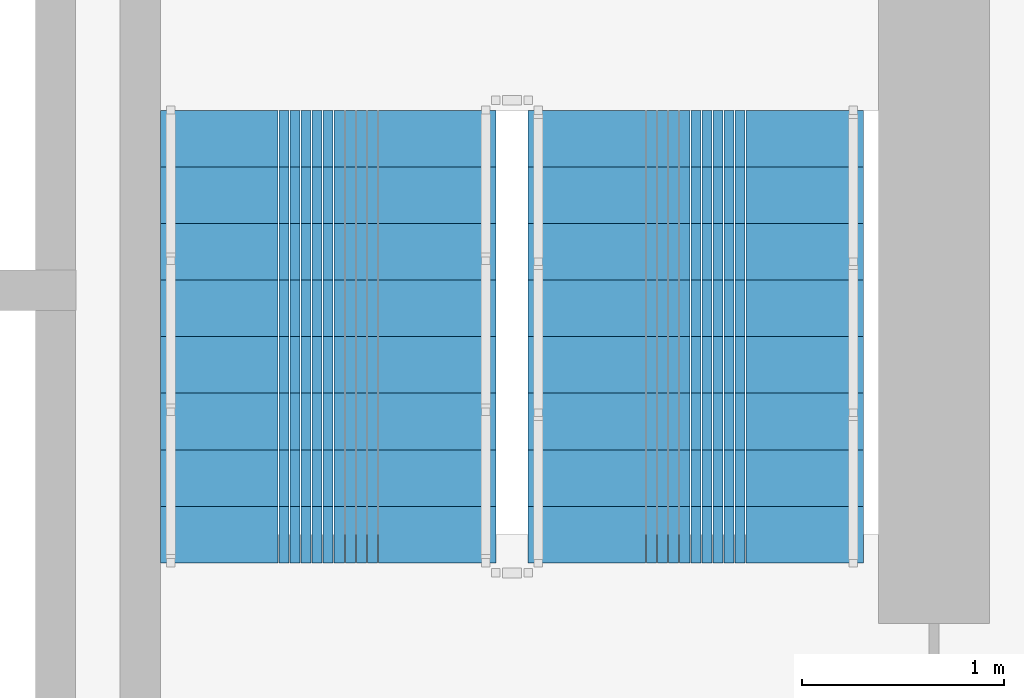
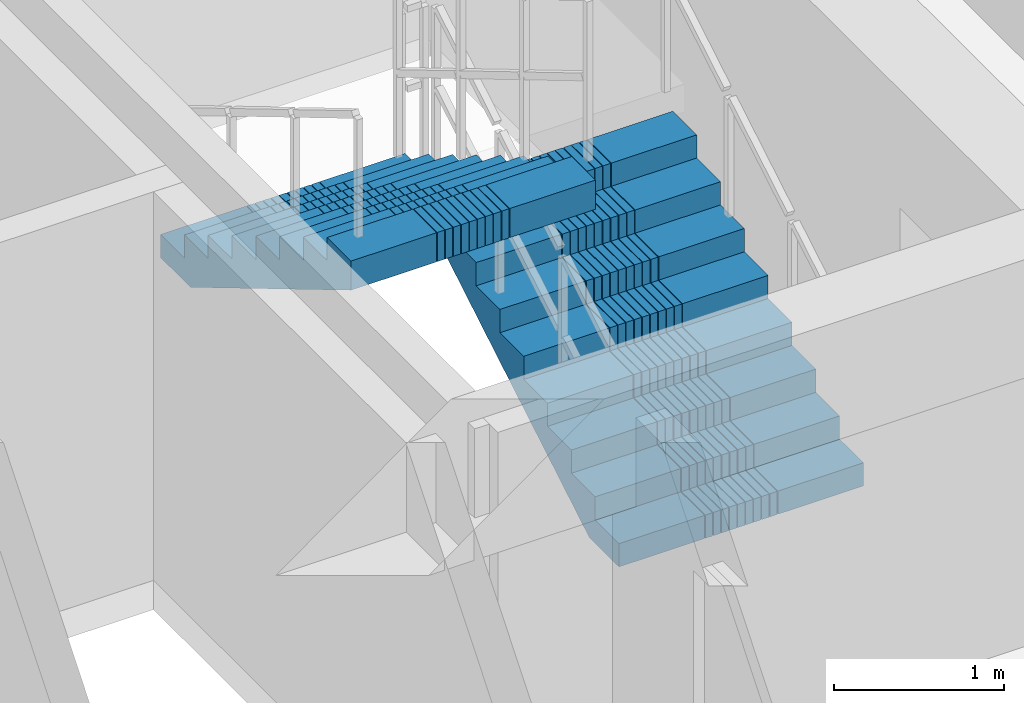
# One storey, part 9 of 15: 2 stair flights, 1 element without a shape of its own.
"""IFC4 building model written with IfcOpenShell, lengths in metres."""

from ifc_helpers import new_model, si_unit, direction, frame, origin, place, context, subcontext, project, spatial, polyline, outline, extrude, material, type_object, element, aggregate, save


model = new_model("IFC4")

# Units and contexts
model_context = context("Model", 3, precision=1e-05, world=origin(), true_north=direction((0.0, 1.0)))
body_context = subcontext(model_context, "Body", "Model", "MODEL_VIEW")
ifc_project = project(units=[si_unit("LENGTHUNIT", "METRE"), si_unit("AREAUNIT", "SQUARE_METRE"), si_unit("VOLUMEUNIT", "CUBIC_METRE"), si_unit("PLANEANGLEUNIT", "RADIAN"), si_unit("MASSUNIT", "GRAM", prefix="KILO")], contexts=[model_context])

# Site, building, storey
site_placement = place(None, origin())
site = spatial("IfcSite", under=ifc_project, at=site_placement, CompositionType="ELEMENT")
building_placement = place(site_placement, origin())
building = spatial("IfcBuilding", under=site, at=building_placement, Name="Saelheon Loggia Tower", CompositionType="ELEMENT")
storey_placement = place(building_placement, frame((0.0, 0.0, 77.85009765625)))
storey = spatial("IfcBuildingStorey", under=building, at=storey_placement, Name="L24", CompositionType="ELEMENT", Elevation=77.85009765625)

# Stair, stair flights
ifc_material = material(Name="Concrete C40/50", Category="concrete")
stair_type = type_object("IfcStairType", Name="Stair_Escape_Core", PredefinedType="HALF_TURN_STAIR", material=ifc_material)
stair_placement = place(storey_placement, origin())
stair = element("IfcStair", 1, at=stair_placement, inside=storey, type_object=stair_type, Name="L24 Special Escape Stair ST2", PredefinedType="HALF_TURN_STAIR")
stair_flight_type = type_object("IfcStairFlightType", Name="StairFlight_Tower_1660", PredefinedType="STRAIGHT", material=ifc_material)
stair_flight_1_placement = place(storey_placement, frame((43.320068359375, 30.449951171875, 0.0), z_axis=(0.0, 0.0, 1.0), x_axis=(0.0, 1.0, 0.0)))
stair_flight_1 = element("IfcStairFlight", 2, at=stair_flight_1_placement, type_object=stair_flight_type, Name="ST2 flight 1", NumberOfRisers=9, NumberOfTreads=8, PredefinedType="STRAIGHT", RiserHeight=0.166666667, TreadLength=0.28, context=body_context, shape_type="SweptSolid", body=[
    extrude(outline(polyline([(0.0, 0.0), (0.0, 0.166748046875), (0.280029296875, 0.166748046875), (0.280029296875, 0.333251953125), (0.56005859375, 0.333251953125), (0.56005859375, 0.5), (0.840087890625, 0.5), (0.840087890625, 0.666748046875), (1.1201171875, 0.666748046875), (1.1201171875, 0.833251953125), (1.39990234375, 0.833251953125), (1.39990234375, 1.0), (1.679931640625, 1.0), (1.679931640625, 1.166748046875), (1.9599609375, 1.166748046875), (1.9599609375, 1.333251953125), (2.239990234375, 1.333251953125), (2.239990234375, 1.5), (2.239990234375, 1.1240234375), (0.351806640625, 0.0), (0.0, 0.0)])), frame((0.0, -0.2490234375, 0.0), z_axis=(0.0, -1.0, 0.0), x_axis=(1.0, 0.0, 0.0)), (0.0, 0.0, 1.0), 0.5810546875),
    extrude(outline(polyline([(0.0, 0.0), (0.0, 0.166748046875), (0.280029296875, 0.166748046875), (0.280029296875, 0.333251953125), (0.56005859375, 0.333251953125), (0.56005859375, 0.5), (0.840087890625, 0.5), (0.840087890625, 0.666748046875), (1.1201171875, 0.666748046875), (1.1201171875, 0.833251953125), (1.39990234375, 0.833251953125), (1.39990234375, 1.0), (1.679931640625, 1.0), (1.679931640625, 1.166748046875), (1.9599609375, 1.166748046875), (1.9599609375, 1.333251953125), (2.239990234375, 1.333251953125), (2.239990234375, 1.5), (2.239990234375, 1.1240234375), (0.351806640625, 0.0), (0.0, 0.0)])), frame((0.0, -0.194091796875, 0.0), z_axis=(0.0, -1.0, 0.0), x_axis=(1.0, 0.0, 0.0)), (0.0, 0.0, 1.0), 0.0498046875),
    extrude(outline(polyline([(0.0, 0.0), (0.0, 0.166748046875), (0.280029296875, 0.166748046875), (0.280029296875, 0.333251953125), (0.56005859375, 0.333251953125), (0.56005859375, 0.5), (0.840087890625, 0.5), (0.840087890625, 0.666748046875), (1.1201171875, 0.666748046875), (1.1201171875, 0.833251953125), (1.39990234375, 0.833251953125), (1.39990234375, 1.0), (1.679931640625, 1.0), (1.679931640625, 1.166748046875), (1.9599609375, 1.166748046875), (1.9599609375, 1.333251953125), (2.239990234375, 1.333251953125), (2.239990234375, 1.5), (2.239990234375, 1.1240234375), (0.351806640625, 0.0), (0.0, 0.0)])), frame((0.0, -0.139404296875, 0.0), z_axis=(0.0, -1.0, 0.0), x_axis=(1.0, 0.0, 0.0)), (0.0, 0.0, 1.0), 0.0498046875),
    extrude(outline(polyline([(0.0, 0.0), (0.0, 0.166748046875), (0.280029296875, 0.166748046875), (0.280029296875, 0.333251953125), (0.56005859375, 0.333251953125), (0.56005859375, 0.5), (0.840087890625, 0.5), (0.840087890625, 0.666748046875), (1.1201171875, 0.666748046875), (1.1201171875, 0.833251953125), (1.39990234375, 0.833251953125), (1.39990234375, 1.0), (1.679931640625, 1.0), (1.679931640625, 1.166748046875), (1.9599609375, 1.166748046875), (1.9599609375, 1.333251953125), (2.239990234375, 1.333251953125), (2.239990234375, 1.5), (2.239990234375, 1.1240234375), (0.351806640625, 0.0), (0.0, 0.0)])), frame((0.0, -0.084716796875, 0.0), z_axis=(0.0, -1.0, 0.0), x_axis=(1.0, 0.0, 0.0)), (0.0, 0.0, 1.0), 0.0498046875),
    extrude(outline(polyline([(0.0, 0.0), (0.0, 0.166748046875), (0.280029296875, 0.166748046875), (0.280029296875, 0.333251953125), (0.56005859375, 0.333251953125), (0.56005859375, 0.5), (0.840087890625, 0.5), (0.840087890625, 0.666748046875), (1.1201171875, 0.666748046875), (1.1201171875, 0.833251953125), (1.39990234375, 0.833251953125), (1.39990234375, 1.0), (1.679931640625, 1.0), (1.679931640625, 1.166748046875), (1.9599609375, 1.166748046875), (1.9599609375, 1.333251953125), (2.239990234375, 1.333251953125), (2.239990234375, 1.5), (2.239990234375, 1.1240234375), (0.351806640625, 0.0), (0.0, 0.0)])), frame((0.0, -0.02978515625, 0.0), z_axis=(0.0, -1.0, 0.0), x_axis=(1.0, 0.0, 0.0)), (0.0, 0.0, 1.0), 0.0498046875),
    extrude(outline(polyline([(0.0, 0.0), (0.0, 0.166748046875), (0.280029296875, 0.166748046875), (0.280029296875, 0.333251953125), (0.56005859375, 0.333251953125), (0.56005859375, 0.5), (0.840087890625, 0.5), (0.840087890625, 0.666748046875), (1.1201171875, 0.666748046875), (1.1201171875, 0.833251953125), (1.39990234375, 0.833251953125), (1.39990234375, 1.0), (1.679931640625, 1.0), (1.679931640625, 1.166748046875), (1.9599609375, 1.166748046875), (1.9599609375, 1.333251953125), (2.239990234375, 1.333251953125), (2.239990234375, 1.5), (2.239990234375, 1.1240234375), (0.351806640625, 0.0), (0.0, 0.0)])), frame((0.0, 0.02490234375, 0.0), z_axis=(0.0, -1.0, 0.0), x_axis=(1.0, 0.0, 0.0)), (0.0, 0.0, 1.0), 0.0498046875),
    extrude(outline(polyline([(0.0, 0.0), (0.0, 0.166748046875), (0.280029296875, 0.166748046875), (0.280029296875, 0.333251953125), (0.56005859375, 0.333251953125), (0.56005859375, 0.5), (0.840087890625, 0.5), (0.840087890625, 0.666748046875), (1.1201171875, 0.666748046875), (1.1201171875, 0.833251953125), (1.39990234375, 0.833251953125), (1.39990234375, 1.0), (1.679931640625, 1.0), (1.679931640625, 1.166748046875), (1.9599609375, 1.166748046875), (1.9599609375, 1.333251953125), (2.239990234375, 1.333251953125), (2.239990234375, 1.5), (2.239990234375, 1.1240234375), (0.351806640625, 0.0), (0.0, 0.0)])), frame((0.0, 0.07958984375, 0.0), z_axis=(0.0, -1.0, 0.0), x_axis=(1.0, 0.0, 0.0)), (0.0, 0.0, 1.0), 0.0498046875),
    extrude(outline(polyline([(0.0, 0.0), (0.0, 0.166748046875), (0.280029296875, 0.166748046875), (0.280029296875, 0.333251953125), (0.56005859375, 0.333251953125), (0.56005859375, 0.5), (0.840087890625, 0.5), (0.840087890625, 0.666748046875), (1.1201171875, 0.666748046875), (1.1201171875, 0.833251953125), (1.39990234375, 0.833251953125), (1.39990234375, 1.0), (1.679931640625, 1.0), (1.679931640625, 1.166748046875), (1.9599609375, 1.166748046875), (1.9599609375, 1.333251953125), (2.239990234375, 1.333251953125), (2.239990234375, 1.5), (2.239990234375, 1.1240234375), (0.351806640625, 0.0), (0.0, 0.0)])), frame((0.0, 0.134521484375, 0.0), z_axis=(0.0, -1.0, 0.0), x_axis=(1.0, 0.0, 0.0)), (0.0, 0.0, 1.0), 0.0498046875),
    extrude(outline(polyline([(0.0, 0.0), (0.0, 0.166748046875), (0.280029296875, 0.166748046875), (0.280029296875, 0.333251953125), (0.56005859375, 0.333251953125), (0.56005859375, 0.5), (0.840087890625, 0.5), (0.840087890625, 0.666748046875), (1.1201171875, 0.666748046875), (1.1201171875, 0.833251953125), (1.39990234375, 0.833251953125), (1.39990234375, 1.0), (1.679931640625, 1.0), (1.679931640625, 1.166748046875), (1.9599609375, 1.166748046875), (1.9599609375, 1.333251953125), (2.239990234375, 1.333251953125), (2.239990234375, 1.5), (2.239990234375, 1.1240234375), (0.351806640625, 0.0), (0.0, 0.0)])), frame((0.0, 0.189208984375, 0.0), z_axis=(0.0, -1.0, 0.0), x_axis=(1.0, 0.0, 0.0)), (0.0, 0.0, 1.0), 0.0498046875),
    extrude(outline(polyline([(0.0, 0.0), (0.0, 0.166748046875), (0.280029296875, 0.166748046875), (0.280029296875, 0.333251953125), (0.56005859375, 0.333251953125), (0.56005859375, 0.5), (0.840087890625, 0.5), (0.840087890625, 0.666748046875), (1.1201171875, 0.666748046875), (1.1201171875, 0.833251953125), (1.39990234375, 0.833251953125), (1.39990234375, 1.0), (1.679931640625, 1.0), (1.679931640625, 1.166748046875), (1.9599609375, 1.166748046875), (1.9599609375, 1.333251953125), (2.239990234375, 1.333251953125), (2.239990234375, 1.5), (2.239990234375, 1.1240234375), (0.351806640625, 0.0), (0.0, 0.0)])), frame((0.0, 0.243896484375, 0.0), z_axis=(0.0, -1.0, 0.0), x_axis=(1.0, 0.0, 0.0)), (0.0, 0.0, 1.0), 0.0498046875),
    extrude(outline(polyline([(0.0, 0.0), (0.0, 0.166748046875), (0.280029296875, 0.166748046875), (0.280029296875, 0.333251953125), (0.56005859375, 0.333251953125), (0.56005859375, 0.5), (0.840087890625, 0.5), (0.840087890625, 0.666748046875), (1.1201171875, 0.666748046875), (1.1201171875, 0.833251953125), (1.39990234375, 0.833251953125), (1.39990234375, 1.0), (1.679931640625, 1.0), (1.679931640625, 1.166748046875), (1.9599609375, 1.166748046875), (1.9599609375, 1.333251953125), (2.239990234375, 1.333251953125), (2.239990234375, 1.5), (2.239990234375, 1.1240234375), (0.351806640625, 0.0), (0.0, 0.0)])), frame((0.0, 0.830078125, 0.0), z_axis=(0.0, -1.0, 0.0), x_axis=(1.0, 0.0, 0.0)), (0.0, 0.0, 1.0), 0.5810546875),
])
stair_flight_2_placement = place(storey_placement, frame((41.5, 32.68994140625, 1.5), z_axis=(0.0, 0.0, 1.0), x_axis=(0.0, -1.0, 0.0)))
stair_flight_2 = element("IfcStairFlight", 3, at=stair_flight_2_placement, type_object=stair_flight_type, Name="ST2 flight 2", NumberOfRisers=9, NumberOfTreads=8, PredefinedType="STRAIGHT", RiserHeight=0.166666667, TreadLength=0.28, context=body_context, shape_type="SweptSolid", body=[
    extrude(outline(polyline([(0.0, 0.0), (0.0, 0.166748046875), (0.280029296875, 0.166748046875), (0.280029296875, 0.333251953125), (0.56005859375, 0.333251953125), (0.56005859375, 0.5), (0.840087890625, 0.5), (0.840087890625, 0.666748046875), (1.1201171875, 0.666748046875), (1.1201171875, 0.833251953125), (1.39990234375, 0.833251953125), (1.39990234375, 1.0), (1.679931640625, 1.0), (1.679931640625, 1.166748046875), (1.9599609375, 1.166748046875), (1.9599609375, 1.333251953125), (2.239990234375, 1.333251953125), (2.239990234375, 1.5), (2.239990234375, 1.1240234375), (0.351806640625, 0.0), (0.0, 0.0)])), frame((0.0, -0.2490234375, 0.0), z_axis=(0.0, -1.0, 0.0), x_axis=(1.0, 0.0, 0.0)), (0.0, 0.0, 1.0), 0.5810546875),
    extrude(outline(polyline([(0.0, 0.0), (0.0, 0.166748046875), (0.280029296875, 0.166748046875), (0.280029296875, 0.333251953125), (0.56005859375, 0.333251953125), (0.56005859375, 0.5), (0.840087890625, 0.5), (0.840087890625, 0.666748046875), (1.1201171875, 0.666748046875), (1.1201171875, 0.833251953125), (1.39990234375, 0.833251953125), (1.39990234375, 1.0), (1.679931640625, 1.0), (1.679931640625, 1.166748046875), (1.9599609375, 1.166748046875), (1.9599609375, 1.333251953125), (2.239990234375, 1.333251953125), (2.239990234375, 1.5), (2.239990234375, 1.1240234375), (0.351806640625, 0.0), (0.0, 0.0)])), frame((0.0, -0.194091796875, 0.0), z_axis=(0.0, -1.0, 0.0), x_axis=(1.0, 0.0, 0.0)), (0.0, 0.0, 1.0), 0.0498046875),
    extrude(outline(polyline([(0.0, 0.0), (0.0, 0.166748046875), (0.280029296875, 0.166748046875), (0.280029296875, 0.333251953125), (0.56005859375, 0.333251953125), (0.56005859375, 0.5), (0.840087890625, 0.5), (0.840087890625, 0.666748046875), (1.1201171875, 0.666748046875), (1.1201171875, 0.833251953125), (1.39990234375, 0.833251953125), (1.39990234375, 1.0), (1.679931640625, 1.0), (1.679931640625, 1.166748046875), (1.9599609375, 1.166748046875), (1.9599609375, 1.333251953125), (2.239990234375, 1.333251953125), (2.239990234375, 1.5), (2.239990234375, 1.1240234375), (0.351806640625, 0.0), (0.0, 0.0)])), frame((0.0, -0.139404296875, 0.0), z_axis=(0.0, -1.0, 0.0), x_axis=(1.0, 0.0, 0.0)), (0.0, 0.0, 1.0), 0.0498046875),
    extrude(outline(polyline([(0.0, 0.0), (0.0, 0.166748046875), (0.280029296875, 0.166748046875), (0.280029296875, 0.333251953125), (0.56005859375, 0.333251953125), (0.56005859375, 0.5), (0.840087890625, 0.5), (0.840087890625, 0.666748046875), (1.1201171875, 0.666748046875), (1.1201171875, 0.833251953125), (1.39990234375, 0.833251953125), (1.39990234375, 1.0), (1.679931640625, 1.0), (1.679931640625, 1.166748046875), (1.9599609375, 1.166748046875), (1.9599609375, 1.333251953125), (2.239990234375, 1.333251953125), (2.239990234375, 1.5), (2.239990234375, 1.1240234375), (0.351806640625, 0.0), (0.0, 0.0)])), frame((0.0, -0.084716796875, 0.0), z_axis=(0.0, -1.0, 0.0), x_axis=(1.0, 0.0, 0.0)), (0.0, 0.0, 1.0), 0.0498046875),
    extrude(outline(polyline([(0.0, 0.0), (0.0, 0.166748046875), (0.280029296875, 0.166748046875), (0.280029296875, 0.333251953125), (0.56005859375, 0.333251953125), (0.56005859375, 0.5), (0.840087890625, 0.5), (0.840087890625, 0.666748046875), (1.1201171875, 0.666748046875), (1.1201171875, 0.833251953125), (1.39990234375, 0.833251953125), (1.39990234375, 1.0), (1.679931640625, 1.0), (1.679931640625, 1.166748046875), (1.9599609375, 1.166748046875), (1.9599609375, 1.333251953125), (2.239990234375, 1.333251953125), (2.239990234375, 1.5), (2.239990234375, 1.1240234375), (0.351806640625, 0.0), (0.0, 0.0)])), frame((0.0, -0.02978515625, 0.0), z_axis=(0.0, -1.0, 0.0), x_axis=(1.0, 0.0, 0.0)), (0.0, 0.0, 1.0), 0.0498046875),
    extrude(outline(polyline([(0.0, 0.0), (0.0, 0.166748046875), (0.280029296875, 0.166748046875), (0.280029296875, 0.333251953125), (0.56005859375, 0.333251953125), (0.56005859375, 0.5), (0.840087890625, 0.5), (0.840087890625, 0.666748046875), (1.1201171875, 0.666748046875), (1.1201171875, 0.833251953125), (1.39990234375, 0.833251953125), (1.39990234375, 1.0), (1.679931640625, 1.0), (1.679931640625, 1.166748046875), (1.9599609375, 1.166748046875), (1.9599609375, 1.333251953125), (2.239990234375, 1.333251953125), (2.239990234375, 1.5), (2.239990234375, 1.1240234375), (0.351806640625, 0.0), (0.0, 0.0)])), frame((0.0, 0.02490234375, 0.0), z_axis=(0.0, -1.0, 0.0), x_axis=(1.0, 0.0, 0.0)), (0.0, 0.0, 1.0), 0.0498046875),
    extrude(outline(polyline([(0.0, 0.0), (0.0, 0.166748046875), (0.280029296875, 0.166748046875), (0.280029296875, 0.333251953125), (0.56005859375, 0.333251953125), (0.56005859375, 0.5), (0.840087890625, 0.5), (0.840087890625, 0.666748046875), (1.1201171875, 0.666748046875), (1.1201171875, 0.833251953125), (1.39990234375, 0.833251953125), (1.39990234375, 1.0), (1.679931640625, 1.0), (1.679931640625, 1.166748046875), (1.9599609375, 1.166748046875), (1.9599609375, 1.333251953125), (2.239990234375, 1.333251953125), (2.239990234375, 1.5), (2.239990234375, 1.1240234375), (0.351806640625, 0.0), (0.0, 0.0)])), frame((0.0, 0.07958984375, 0.0), z_axis=(0.0, -1.0, 0.0), x_axis=(1.0, 0.0, 0.0)), (0.0, 0.0, 1.0), 0.0498046875),
    extrude(outline(polyline([(0.0, 0.0), (0.0, 0.166748046875), (0.280029296875, 0.166748046875), (0.280029296875, 0.333251953125), (0.56005859375, 0.333251953125), (0.56005859375, 0.5), (0.840087890625, 0.5), (0.840087890625, 0.666748046875), (1.1201171875, 0.666748046875), (1.1201171875, 0.833251953125), (1.39990234375, 0.833251953125), (1.39990234375, 1.0), (1.679931640625, 1.0), (1.679931640625, 1.166748046875), (1.9599609375, 1.166748046875), (1.9599609375, 1.333251953125), (2.239990234375, 1.333251953125), (2.239990234375, 1.5), (2.239990234375, 1.1240234375), (0.351806640625, 0.0), (0.0, 0.0)])), frame((0.0, 0.134521484375, 0.0), z_axis=(0.0, -1.0, 0.0), x_axis=(1.0, 0.0, 0.0)), (0.0, 0.0, 1.0), 0.0498046875),
    extrude(outline(polyline([(0.0, 0.0), (0.0, 0.166748046875), (0.280029296875, 0.166748046875), (0.280029296875, 0.333251953125), (0.56005859375, 0.333251953125), (0.56005859375, 0.5), (0.840087890625, 0.5), (0.840087890625, 0.666748046875), (1.1201171875, 0.666748046875), (1.1201171875, 0.833251953125), (1.39990234375, 0.833251953125), (1.39990234375, 1.0), (1.679931640625, 1.0), (1.679931640625, 1.166748046875), (1.9599609375, 1.166748046875), (1.9599609375, 1.333251953125), (2.239990234375, 1.333251953125), (2.239990234375, 1.5), (2.239990234375, 1.1240234375), (0.351806640625, 0.0), (0.0, 0.0)])), frame((0.0, 0.189208984375, 0.0), z_axis=(0.0, -1.0, 0.0), x_axis=(1.0, 0.0, 0.0)), (0.0, 0.0, 1.0), 0.0498046875),
    extrude(outline(polyline([(0.0, 0.0), (0.0, 0.166748046875), (0.280029296875, 0.166748046875), (0.280029296875, 0.333251953125), (0.56005859375, 0.333251953125), (0.56005859375, 0.5), (0.840087890625, 0.5), (0.840087890625, 0.666748046875), (1.1201171875, 0.666748046875), (1.1201171875, 0.833251953125), (1.39990234375, 0.833251953125), (1.39990234375, 1.0), (1.679931640625, 1.0), (1.679931640625, 1.166748046875), (1.9599609375, 1.166748046875), (1.9599609375, 1.333251953125), (2.239990234375, 1.333251953125), (2.239990234375, 1.5), (2.239990234375, 1.1240234375), (0.351806640625, 0.0), (0.0, 0.0)])), frame((0.0, 0.243896484375, 0.0), z_axis=(0.0, -1.0, 0.0), x_axis=(1.0, 0.0, 0.0)), (0.0, 0.0, 1.0), 0.0498046875),
    extrude(outline(polyline([(0.0, 0.0), (0.0, 0.166748046875), (0.280029296875, 0.166748046875), (0.280029296875, 0.333251953125), (0.56005859375, 0.333251953125), (0.56005859375, 0.5), (0.840087890625, 0.5), (0.840087890625, 0.666748046875), (1.1201171875, 0.666748046875), (1.1201171875, 0.833251953125), (1.39990234375, 0.833251953125), (1.39990234375, 1.0), (1.679931640625, 1.0), (1.679931640625, 1.166748046875), (1.9599609375, 1.166748046875), (1.9599609375, 1.333251953125), (2.239990234375, 1.333251953125), (2.239990234375, 1.5), (2.239990234375, 1.1240234375), (0.351806640625, 0.0), (0.0, 0.0)])), frame((0.0, 0.830078125, 0.0), z_axis=(0.0, -1.0, 0.0), x_axis=(1.0, 0.0, 0.0)), (0.0, 0.0, 1.0), 0.5810546875),
])
aggregate(stair, [stair_flight_1, stair_flight_2])

save(model, "model.ifc")
